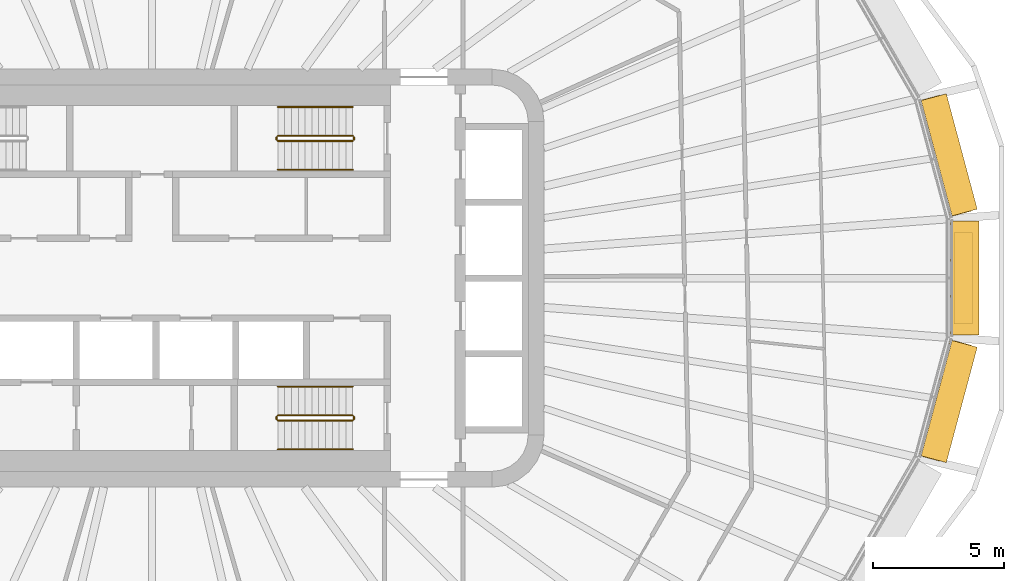
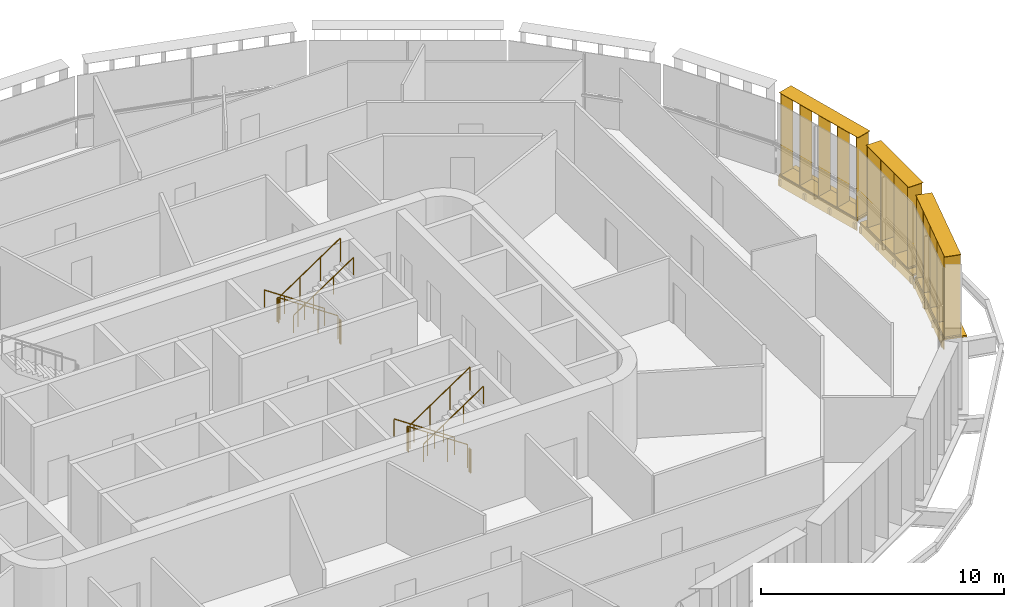
# One storey, part 22 of 24: 12 railings, 6 shading devices.
"""IFC4 building model written with IfcOpenShell, lengths in metres."""

from ifc_helpers import new_model, si_unit, direction, frame, origin, origin_2d, place, context, subcontext, project, spatial, rectangle, circle, extrude, material, type_object, element, save


model = new_model("IFC4")

# Units and contexts
model_context = context("Model", 3, precision=1e-05, world=origin(), true_north=direction((0.0, 1.0)))
body_context = subcontext(model_context, "Body", "Model", "MODEL_VIEW")
ifc_project = project(units=[si_unit("LENGTHUNIT", "METRE"), si_unit("AREAUNIT", "SQUARE_METRE"), si_unit("VOLUMEUNIT", "CUBIC_METRE"), si_unit("PLANEANGLEUNIT", "RADIAN"), si_unit("MASSUNIT", "GRAM", prefix="KILO")], contexts=[model_context])

# Site, building, storey
site_placement = place(None, origin())
site = spatial("IfcSite", under=ifc_project, at=site_placement, CompositionType="ELEMENT")
building_placement = place(site_placement, origin())
building = spatial("IfcBuilding", under=site, at=building_placement, Name="Sahrelin Media Tower", CompositionType="ELEMENT")
storey_placement = place(building_placement, frame((0.0, 0.0, 58.800048828125)))
storey = spatial("IfcBuildingStorey", under=building, at=storey_placement, Name="L09", CompositionType="ELEMENT", Elevation=58.800048828125)

# Shading devices
ifc_material_1 = material(Name="Champagne anodised aluminium 6063-T6", Category="aluminium")
shading_device_type_1 = type_object("IfcShadingDeviceType", Name="Fin cassette", PredefinedType="USERDEFINED", material=ifc_material_1)
placement_1 = place(storey_placement, frame((30.618408203125, 0.0, 0.0), z_axis=(0.0, 0.0, 1.0), x_axis=(0.0, -1.0, 0.0)))
element("IfcShadingDevice", 1, at=placement_1, inside=storey, type_object=shading_device_type_1, Name="L09:FIN:L09-00", ObjectType="FIN", PredefinedType="USERDEFINED", context=body_context, shape_type="SweptSolid", body=[
    extrude(rectangle(XDim=3.5, YDim=0.699951171875, at=origin_2d()), frame((0.0, 0.419921875, 0.0)), (0.0, 0.0, 1.0), 0.02001953125),
    extrude(rectangle(XDim=3.5, YDim=0.699951171875, at=origin_2d()), frame((0.0, 0.419921875, 4.10009765625)), (0.0, 0.0, 1.0), 0.02001953125),
    extrude(rectangle(XDim=0.02001953125, YDim=0.699951171875, at=origin_2d()), frame((-1.64990234375, 0.419921875, 0.010009765625), z_axis=(0.0, 0.0, 1.0), x_axis=(1.0, 0.0, 0.0)), (0.0, 0.0, 1.0), 4.10009765625),
    extrude(rectangle(XDim=0.02001953125, YDim=0.699951171875, at=origin_2d()), frame((-0.550048828125, 0.419921875, 0.010009765625), z_axis=(0.0, 0.0, 1.0), x_axis=(1.0, 0.0, 0.0)), (0.0, 0.0, 1.0), 4.10009765625),
    extrude(rectangle(XDim=0.02001953125, YDim=0.699951171875, at=origin_2d()), frame((0.550048828125, 0.419921875, 0.010009765625), z_axis=(0.0, 0.0, 1.0), x_axis=(1.0, 0.0, 0.0)), (0.0, 0.0, 1.0), 4.10009765625),
    extrude(rectangle(XDim=0.02001953125, YDim=0.699951171875, at=origin_2d()), frame((1.64990234375, 0.419921875, 0.010009765625), z_axis=(0.0, 0.0, 1.0), x_axis=(1.0, 0.0, 0.0)), (0.0, 0.0, 1.0), 4.10009765625),
])
placement_2 = place(storey_placement, frame((30.0009765625, 4.58544921875, 0.0), z_axis=(0.0, 0.0, 1.0), x_axis=(0.258807731996, -0.965928857556, 0.0)))
element("IfcShadingDevice", 2, at=placement_2, inside=storey, type_object=shading_device_type_1, Name="L09:FIN:L09-01", ObjectType="FIN", PredefinedType="USERDEFINED", context=body_context, shape_type="SweptSolid", body=[
    extrude(rectangle(XDim=4.60009765625, YDim=0.699951171875, at=origin_2d()), frame((0.0, 0.419921875, 0.0)), (0.0, 0.0, 1.0), 0.02001953125),
    extrude(rectangle(XDim=4.60009765625, YDim=0.699951171875, at=origin_2d()), frame((0.0, 0.419921875, 4.10009765625)), (0.0, 0.0, 1.0), 0.02001953125),
    extrude(rectangle(XDim=0.02001953125, YDim=0.699951171875, at=origin_2d()), frame((-2.199951171875, 0.419921875, 0.010009765625), z_axis=(0.0, 0.0, 1.0), x_axis=(1.0, 0.0, 0.0)), (0.0, 0.0, 1.0), 4.10009765625),
    extrude(rectangle(XDim=0.02001953125, YDim=0.699951171875, at=origin_2d()), frame((-1.10009765625, 0.419921875, 0.010009765625), z_axis=(0.0, 0.0, 1.0), x_axis=(1.0, 0.0, 0.0)), (0.0, 0.0, 1.0), 4.10009765625),
    extrude(rectangle(XDim=0.02001953125, YDim=0.699951171875, at=origin_2d()), frame((0.0, 0.419921875, 0.010009765625), z_axis=(0.0, 0.0, 1.0), x_axis=(1.0, 0.0, 0.0)), (0.0, 0.0, 1.0), 4.10009765625),
    extrude(rectangle(XDim=0.02001953125, YDim=0.699951171875, at=origin_2d()), frame((1.10009765625, 0.419921875, 0.010009765625), z_axis=(0.0, 0.0, 1.0), x_axis=(1.0, 0.0, 0.0)), (0.0, 0.0, 1.0), 4.10009765625),
    extrude(rectangle(XDim=0.02001953125, YDim=0.699951171875, at=origin_2d()), frame((2.199951171875, 0.419921875, 0.010009765625), z_axis=(0.0, 0.0, 1.0), x_axis=(1.0, 0.0, 0.0)), (0.0, 0.0, 1.0), 4.10009765625),
])
placement_3 = place(storey_placement, frame((30.0009765625, -4.58544921875, 0.0), z_axis=(0.0, 0.0, 1.0), x_axis=(-0.258807731996, -0.965928857556, 0.0)))
element("IfcShadingDevice", 3, at=placement_3, inside=storey, type_object=shading_device_type_1, Name="L09:FIN:L09-23", ObjectType="FIN", PredefinedType="USERDEFINED", context=body_context, shape_type="SweptSolid", body=[
    extrude(rectangle(XDim=4.60009765625, YDim=0.699951171875, at=origin_2d()), frame((0.0, 0.419921875, 0.0)), (0.0, 0.0, 1.0), 0.02001953125),
    extrude(rectangle(XDim=4.60009765625, YDim=0.699951171875, at=origin_2d()), frame((0.0, 0.419921875, 4.10009765625)), (0.0, 0.0, 1.0), 0.02001953125),
    extrude(rectangle(XDim=0.02001953125, YDim=0.699951171875, at=origin_2d()), frame((-2.199951171875, 0.419921875, 0.010009765625), z_axis=(0.0, 0.0, 1.0), x_axis=(1.0, 0.0, 0.0)), (0.0, 0.0, 1.0), 4.10009765625),
    extrude(rectangle(XDim=0.02001953125, YDim=0.699951171875, at=origin_2d()), frame((-1.10009765625, 0.419921875, 0.010009765625), z_axis=(0.0, 0.0, 1.0), x_axis=(1.0, 0.0, 0.0)), (0.0, 0.0, 1.0), 4.10009765625),
    extrude(rectangle(XDim=0.02001953125, YDim=0.699951171875, at=origin_2d()), frame((0.0, 0.419921875, 0.010009765625), z_axis=(0.0, 0.0, 1.0), x_axis=(1.0, 0.0, 0.0)), (0.0, 0.0, 1.0), 4.10009765625),
    extrude(rectangle(XDim=0.02001953125, YDim=0.699951171875, at=origin_2d()), frame((1.10009765625, 0.419921875, 0.010009765625), z_axis=(0.0, 0.0, 1.0), x_axis=(1.0, 0.0, 0.0)), (0.0, 0.0, 1.0), 4.10009765625),
    extrude(rectangle(XDim=0.02001953125, YDim=0.699951171875, at=origin_2d()), frame((2.199951171875, 0.419921875, 0.010009765625), z_axis=(0.0, 0.0, 1.0), x_axis=(1.0, 0.0, 0.0)), (0.0, 0.0, 1.0), 4.10009765625),
])

# Railings
ifc_material_2 = material(Name="Steel S355", Category="steel")
railing_type_1 = type_object("IfcRailingType", Name="Stair guard 1200", PredefinedType="GUARDRAIL", material=ifc_material_2)
railing_1_placement = place(storey_placement, frame((7.675048828125, 5.449951171875, 0.175048828125)))
element("IfcRailing", 4, at=railing_1_placement, inside=storey, type_object=railing_type_1, Name="L09 ST3 stair guard 1", PredefinedType="GUARDRAIL", context=body_context, shape_type="SweptSolid", body=[
    extrude(circle(Radius=0.02392578125, at=origin_2d()), frame((0.0, 0.0, 1.17578125), z_axis=(-0.829623704247, 0.0, 0.558322943601), x_axis=(0.0, -1.0, 0.0)), (0.0, 0.0, 1.0), 3.447509765625),
    extrude(circle(Radius=0.02099609375, at=origin_2d()), origin(), (0.0, 0.0, 1.0), 1.15185546875),
    extrude(circle(Radius=0.02099609375, at=origin_2d()), frame((-0.953369140625, 0.0, 0.6416015625)), (0.0, 0.0, 1.0), 1.15185546875),
    extrude(circle(Radius=0.02099609375, at=origin_2d()), frame((-1.90673828125, 0.0, 1.283203125)), (0.0, 0.0, 1.0), 1.15185546875),
    extrude(circle(Radius=0.02099609375, at=origin_2d()), frame((-2.860107421875, 0.0, 1.9248046875)), (0.0, 0.0, 1.0), 1.15185546875),
])
railing_2_placement = place(storey_placement, frame((4.764892578125, 5.39990234375, 2.099853515625)))
element("IfcRailing", 5, at=railing_2_placement, inside=storey, type_object=railing_type_1, Name="L09 ST3 stair guard 2", PredefinedType="GUARDRAIL", context=body_context, shape_type="SweptSolid", body=[
    extrude(circle(Radius=0.02392578125, at=origin_2d()), frame((0.0, 0.0, 1.17578125), z_axis=(0.0, -1.0, 0.0), x_axis=(1.0, 0.0, 0.0)), (0.0, 0.0, 1.0), 0.099853515625),
    extrude(circle(Radius=0.02099609375, at=origin_2d()), origin(), (0.0, 0.0, 1.0), 1.15185546875),
    extrude(circle(Radius=0.02099609375, at=origin_2d()), frame((0.0, -0.099853515625, 0.0)), (0.0, 0.0, 1.0), 1.15185546875),
])
railing_3_placement = place(storey_placement, frame((4.81494140625, 5.25, 2.27490234375)))
element("IfcRailing", 6, at=railing_3_placement, inside=storey, type_object=railing_type_1, Name="L09 ST3 stair guard 3", PredefinedType="GUARDRAIL", context=body_context, shape_type="SweptSolid", body=[
    extrude(circle(Radius=0.02392578125, at=origin_2d()), frame((0.0, 0.0, 1.17578125), z_axis=(0.829590901723, 0.0, 0.558371682465), x_axis=(0.0, 1.0, 0.0)), (0.0, 0.0, 1.0), 3.447509765625),
    extrude(circle(Radius=0.02099609375, at=origin_2d()), origin(), (0.0, 0.0, 1.0), 1.15185546875),
    extrude(circle(Radius=0.02099609375, at=origin_2d()), frame((0.953369140625, 0.0, 0.6416015625)), (0.0, 0.0, 1.0), 1.15185546875),
    extrude(circle(Radius=0.02099609375, at=origin_2d()), frame((1.90673828125, 0.0, 1.283447265625)), (0.0, 0.0, 1.0), 1.15185546875),
    extrude(circle(Radius=0.02099609375, at=origin_2d()), frame((2.860107421875, 0.0, 1.925048828125)), (0.0, 0.0, 1.0), 1.15185546875),
])
railing_4_placement = place(storey_placement, frame((7.72509765625, 5.39990234375, 0.0)))
element("IfcRailing", 7, at=railing_4_placement, inside=storey, type_object=railing_type_1, Name="L09 ST3 stair guard 4", PredefinedType="GUARDRAIL", context=body_context, shape_type="SweptSolid", body=[
    extrude(circle(Radius=0.02392578125, at=origin_2d()), frame((0.0, 0.0, 1.17578125), z_axis=(0.0, -1.0, 0.0), x_axis=(1.0, 0.0, 0.0)), (0.0, 0.0, 1.0), 0.099853515625),
    extrude(circle(Radius=0.02099609375, at=origin_2d()), origin(), (0.0, 0.0, 1.0), 1.15185546875),
    extrude(circle(Radius=0.02099609375, at=origin_2d()), frame((0.0, -0.099853515625, 0.0)), (0.0, 0.0, 1.0), 1.15185546875),
])
railing_5_placement = place(storey_placement, frame((7.675048828125, -5.25, 0.175048828125)))
element("IfcRailing", 8, at=railing_5_placement, inside=storey, type_object=railing_type_1, Name="L09 ST2 stair guard 1", PredefinedType="GUARDRAIL", context=body_context, shape_type="SweptSolid", body=[
    extrude(circle(Radius=0.02392578125, at=origin_2d()), frame((0.0, 0.0, 1.17578125), z_axis=(-0.829623704247, 0.0, 0.558322943601), x_axis=(0.0, -1.0, 0.0)), (0.0, 0.0, 1.0), 3.447509765625),
    extrude(circle(Radius=0.02099609375, at=origin_2d()), origin(), (0.0, 0.0, 1.0), 1.15185546875),
    extrude(circle(Radius=0.02099609375, at=origin_2d()), frame((-0.953369140625, 0.0, 0.6416015625)), (0.0, 0.0, 1.0), 1.15185546875),
    extrude(circle(Radius=0.02099609375, at=origin_2d()), frame((-1.90673828125, 0.0, 1.283203125)), (0.0, 0.0, 1.0), 1.15185546875),
    extrude(circle(Radius=0.02099609375, at=origin_2d()), frame((-2.860107421875, 0.0, 1.9248046875)), (0.0, 0.0, 1.0), 1.15185546875),
])
railing_6_placement = place(storey_placement, frame((4.764892578125, -5.300048828125, 2.099853515625)))
element("IfcRailing", 9, at=railing_6_placement, inside=storey, type_object=railing_type_1, Name="L09 ST2 stair guard 2", PredefinedType="GUARDRAIL", context=body_context, shape_type="SweptSolid", body=[
    extrude(circle(Radius=0.02392578125, at=origin_2d()), frame((0.0, 0.0, 1.17578125), z_axis=(0.0, -1.0, 0.0), x_axis=(1.0, 0.0, 0.0)), (0.0, 0.0, 1.0), 0.099853515625),
    extrude(circle(Radius=0.02099609375, at=origin_2d()), origin(), (0.0, 0.0, 1.0), 1.15185546875),
    extrude(circle(Radius=0.02099609375, at=origin_2d()), frame((0.0, -0.099853515625, 0.0)), (0.0, 0.0, 1.0), 1.15185546875),
])
railing_7_placement = place(storey_placement, frame((4.81494140625, -5.449951171875, 2.27490234375)))
element("IfcRailing", 10, at=railing_7_placement, inside=storey, type_object=railing_type_1, Name="L09 ST2 stair guard 3", PredefinedType="GUARDRAIL", context=body_context, shape_type="SweptSolid", body=[
    extrude(circle(Radius=0.02392578125, at=origin_2d()), frame((0.0, 0.0, 1.17578125), z_axis=(0.829590901723, 0.0, 0.558371682465), x_axis=(0.0, 1.0, 0.0)), (0.0, 0.0, 1.0), 3.447509765625),
    extrude(circle(Radius=0.02099609375, at=origin_2d()), origin(), (0.0, 0.0, 1.0), 1.15185546875),
    extrude(circle(Radius=0.02099609375, at=origin_2d()), frame((0.953369140625, 0.0, 0.6416015625)), (0.0, 0.0, 1.0), 1.15185546875),
    extrude(circle(Radius=0.02099609375, at=origin_2d()), frame((1.90673828125, 0.0, 1.283447265625)), (0.0, 0.0, 1.0), 1.15185546875),
    extrude(circle(Radius=0.02099609375, at=origin_2d()), frame((2.860107421875, 0.0, 1.925048828125)), (0.0, 0.0, 1.0), 1.15185546875),
])
railing_8_placement = place(storey_placement, frame((7.72509765625, -5.300048828125, 0.0)))
element("IfcRailing", 11, at=railing_8_placement, inside=storey, type_object=railing_type_1, Name="L09 ST2 stair guard 4", PredefinedType="GUARDRAIL", context=body_context, shape_type="SweptSolid", body=[
    extrude(circle(Radius=0.02392578125, at=origin_2d()), frame((0.0, 0.0, 1.17578125), z_axis=(0.0, -1.0, 0.0), x_axis=(1.0, 0.0, 0.0)), (0.0, 0.0, 1.0), 0.099853515625),
    extrude(circle(Radius=0.02099609375, at=origin_2d()), origin(), (0.0, 0.0, 1.0), 1.15185546875),
    extrude(circle(Radius=0.02099609375, at=origin_2d()), frame((0.0, -0.099853515625, 0.0)), (0.0, 0.0, 1.0), 1.15185546875),
])
railing_type_2 = type_object("IfcRailingType", Name="Stair handrail 900", PredefinedType="HANDRAIL", material=ifc_material_2)
railing_9_placement = place(storey_placement, frame((7.675048828125, 6.550048828125, 0.175048828125)))
element("IfcRailing", 12, at=railing_9_placement, inside=storey, type_object=railing_type_2, Name="L09 ST3 stair handrail 1", PredefinedType="HANDRAIL", context=body_context, shape_type="SweptSolid", body=[
    extrude(circle(Radius=0.02392578125, at=origin_2d()), frame((0.0, 0.0, 0.8759765625), z_axis=(-0.829623704247, 0.0, 0.558322943601), x_axis=(0.0, -1.0, 0.0)), (0.0, 0.0, 1.0), 3.447509765625),
    extrude(circle(Radius=0.02099609375, at=origin_2d()), origin(), (0.0, 0.0, 1.0), 0.851806640625),
    extrude(circle(Radius=0.02099609375, at=origin_2d()), frame((-0.953369140625, 0.0, 0.6416015625)), (0.0, 0.0, 1.0), 0.851806640625),
    extrude(circle(Radius=0.02099609375, at=origin_2d()), frame((-1.90673828125, 0.0, 1.283203125)), (0.0, 0.0, 1.0), 0.851806640625),
    extrude(circle(Radius=0.02099609375, at=origin_2d()), frame((-2.860107421875, 0.0, 1.9248046875)), (0.0, 0.0, 1.0), 0.851806640625),
])
railing_10_placement = place(storey_placement, frame((4.81494140625, 4.14990234375, 2.27490234375)))
element("IfcRailing", 13, at=railing_10_placement, inside=storey, type_object=railing_type_2, Name="L09 ST3 stair handrail 2", PredefinedType="HANDRAIL", context=body_context, shape_type="SweptSolid", body=[
    extrude(circle(Radius=0.02392578125, at=origin_2d()), frame((0.0, 0.0, 0.8759765625), z_axis=(0.829590901723, 0.0, 0.558371682465), x_axis=(0.0, 1.0, 0.0)), (0.0, 0.0, 1.0), 3.447509765625),
    extrude(circle(Radius=0.02099609375, at=origin_2d()), origin(), (0.0, 0.0, 1.0), 0.851806640625),
    extrude(circle(Radius=0.02099609375, at=origin_2d()), frame((0.953369140625, 0.0, 0.6416015625)), (0.0, 0.0, 1.0), 0.851806640625),
    extrude(circle(Radius=0.02099609375, at=origin_2d()), frame((1.90673828125, 0.0, 1.283447265625)), (0.0, 0.0, 1.0), 0.851806640625),
    extrude(circle(Radius=0.02099609375, at=origin_2d()), frame((2.860107421875, 0.0, 1.925048828125)), (0.0, 0.0, 1.0), 0.851806640625),
])
railing_11_placement = place(storey_placement, frame((7.675048828125, -4.14990234375, 0.175048828125)))
element("IfcRailing", 14, at=railing_11_placement, inside=storey, type_object=railing_type_2, Name="L09 ST2 stair handrail 1", PredefinedType="HANDRAIL", context=body_context, shape_type="SweptSolid", body=[
    extrude(circle(Radius=0.02392578125, at=origin_2d()), frame((0.0, 0.0, 0.8759765625), z_axis=(-0.829623704247, 0.0, 0.558322943601), x_axis=(0.0, -1.0, 0.0)), (0.0, 0.0, 1.0), 3.447509765625),
    extrude(circle(Radius=0.02099609375, at=origin_2d()), origin(), (0.0, 0.0, 1.0), 0.851806640625),
    extrude(circle(Radius=0.02099609375, at=origin_2d()), frame((-0.953369140625, 0.0, 0.6416015625)), (0.0, 0.0, 1.0), 0.851806640625),
    extrude(circle(Radius=0.02099609375, at=origin_2d()), frame((-1.90673828125, 0.0, 1.283203125)), (0.0, 0.0, 1.0), 0.851806640625),
    extrude(circle(Radius=0.02099609375, at=origin_2d()), frame((-2.860107421875, 0.0, 1.9248046875)), (0.0, 0.0, 1.0), 0.851806640625),
])
railing_12_placement = place(storey_placement, frame((4.81494140625, -6.550048828125, 2.27490234375)))
element("IfcRailing", 15, at=railing_12_placement, inside=storey, type_object=railing_type_2, Name="L09 ST2 stair handrail 2", PredefinedType="HANDRAIL", context=body_context, shape_type="SweptSolid", body=[
    extrude(circle(Radius=0.02392578125, at=origin_2d()), frame((0.0, 0.0, 0.8759765625), z_axis=(0.829590901723, 0.0, 0.558371682465), x_axis=(0.0, 1.0, 0.0)), (0.0, 0.0, 1.0), 3.447509765625),
    extrude(circle(Radius=0.02099609375, at=origin_2d()), origin(), (0.0, 0.0, 1.0), 0.851806640625),
    extrude(circle(Radius=0.02099609375, at=origin_2d()), frame((0.953369140625, 0.0, 0.6416015625)), (0.0, 0.0, 1.0), 0.851806640625),
    extrude(circle(Radius=0.02099609375, at=origin_2d()), frame((1.90673828125, 0.0, 1.283447265625)), (0.0, 0.0, 1.0), 0.851806640625),
    extrude(circle(Radius=0.02099609375, at=origin_2d()), frame((2.860107421875, 0.0, 1.925048828125)), (0.0, 0.0, 1.0), 0.851806640625),
])

# Shading devices
shading_device_type_2 = type_object("IfcShadingDeviceType", Name="Sunshade band", PredefinedType="USERDEFINED", material=ifc_material_1)
element("IfcShadingDevice", 16, at=placement_1, inside=storey, type_object=shading_device_type_2, Name="L09:SUN:L09-00", ObjectType="SUNSHADE", PredefinedType="USERDEFINED", context=body_context, shape_type="SweptSolid", body=[
    extrude(rectangle(XDim=4.36181640625, YDim=0.050048828125, at=origin_2d()), frame((0.0, 0.044921875, -0.55126953125)), (0.0, 0.0, 1.0), 0.471435546875),
    extrude(rectangle(XDim=4.36181640625, YDim=1.0, at=origin_2d()), frame((0.0, 0.52001953125, -0.080078125)), (0.0, 0.0, 1.0), 0.080078125),
    extrude(rectangle(XDim=0.10009765625, YDim=0.074951171875, at=origin_2d()), frame((-2.080810546875, -0.017578125, -0.47021484375)), (0.0, 0.0, 1.0), 0.300048828125),
    extrude(rectangle(XDim=0.10009765625, YDim=0.074951171875, at=origin_2d()), frame((-0.693603515625, -0.017578125, -0.47021484375)), (0.0, 0.0, 1.0), 0.300048828125),
    extrude(rectangle(XDim=0.10009765625, YDim=0.074951171875, at=origin_2d()), frame((0.693603515625, -0.017578125, -0.47021484375)), (0.0, 0.0, 1.0), 0.300048828125),
    extrude(rectangle(XDim=0.10009765625, YDim=0.074951171875, at=origin_2d()), frame((2.080810546875, -0.017578125, -0.47021484375)), (0.0, 0.0, 1.0), 0.300048828125),
])
element("IfcShadingDevice", 17, at=placement_2, inside=storey, type_object=shading_device_type_2, Name="L09:SUN:L09-01", ObjectType="SUNSHADE", PredefinedType="USERDEFINED", context=body_context, shape_type="SweptSolid", body=[
    extrude(rectangle(XDim=4.57177734375, YDim=0.050048828125, at=origin_2d()), frame((0.0, 0.044921875, -0.55126953125)), (0.0, 0.0, 1.0), 0.471435546875),
    extrude(rectangle(XDim=4.57177734375, YDim=1.0, at=origin_2d()), frame((0.0, 0.52001953125, -0.080078125)), (0.0, 0.0, 1.0), 0.080078125),
    extrude(rectangle(XDim=0.10009765625, YDim=0.074951171875, at=origin_2d()), frame((-2.185791015625, -0.017578125, -0.47021484375)), (0.0, 0.0, 1.0), 0.300048828125),
    extrude(rectangle(XDim=0.10009765625, YDim=0.074951171875, at=origin_2d()), frame((-0.728515625, -0.017578125, -0.47021484375)), (0.0, 0.0, 1.0), 0.300048828125),
    extrude(rectangle(XDim=0.10009765625, YDim=0.074951171875, at=origin_2d()), frame((0.728515625, -0.017578125, -0.47021484375)), (0.0, 0.0, 1.0), 0.300048828125),
    extrude(rectangle(XDim=0.10009765625, YDim=0.074951171875, at=origin_2d()), frame((2.185791015625, -0.017578125, -0.47021484375)), (0.0, 0.0, 1.0), 0.300048828125),
])
element("IfcShadingDevice", 18, at=placement_3, inside=storey, type_object=shading_device_type_2, Name="L09:SUN:L09-23", ObjectType="SUNSHADE", PredefinedType="USERDEFINED", context=body_context, shape_type="SweptSolid", body=[
    extrude(rectangle(XDim=4.57177734375, YDim=0.050048828125, at=origin_2d()), frame((0.0, 0.044921875, -0.55126953125)), (0.0, 0.0, 1.0), 0.471435546875),
    extrude(rectangle(XDim=4.57177734375, YDim=1.0, at=origin_2d()), frame((0.0, 0.52001953125, -0.080078125)), (0.0, 0.0, 1.0), 0.080078125),
    extrude(rectangle(XDim=0.10009765625, YDim=0.074951171875, at=origin_2d()), frame((-2.185791015625, -0.017578125, -0.47021484375)), (0.0, 0.0, 1.0), 0.300048828125),
    extrude(rectangle(XDim=0.10009765625, YDim=0.074951171875, at=origin_2d()), frame((-0.728515625, -0.017578125, -0.47021484375)), (0.0, 0.0, 1.0), 0.300048828125),
    extrude(rectangle(XDim=0.10009765625, YDim=0.074951171875, at=origin_2d()), frame((0.728515625, -0.017578125, -0.47021484375)), (0.0, 0.0, 1.0), 0.300048828125),
    extrude(rectangle(XDim=0.10009765625, YDim=0.074951171875, at=origin_2d()), frame((2.185791015625, -0.017578125, -0.47021484375)), (0.0, 0.0, 1.0), 0.300048828125),
])

save(model, "model.ifc")
